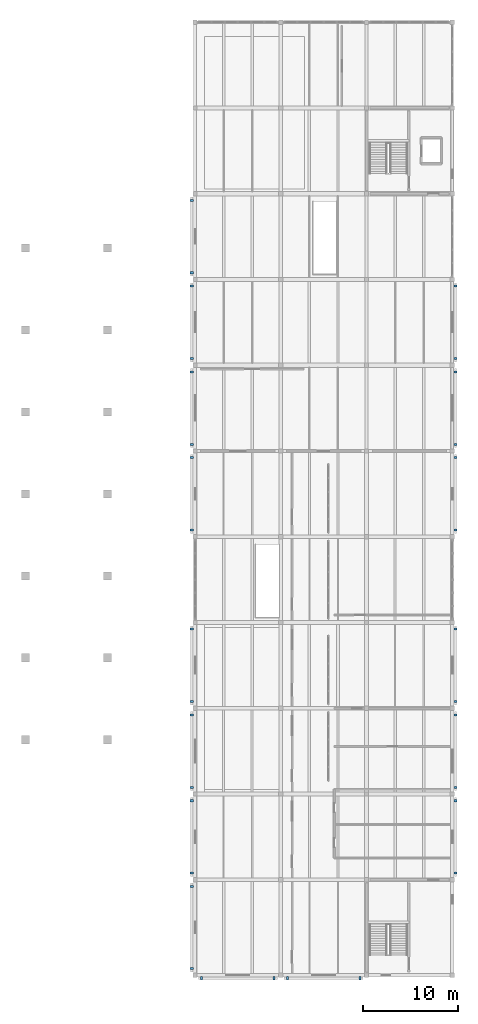
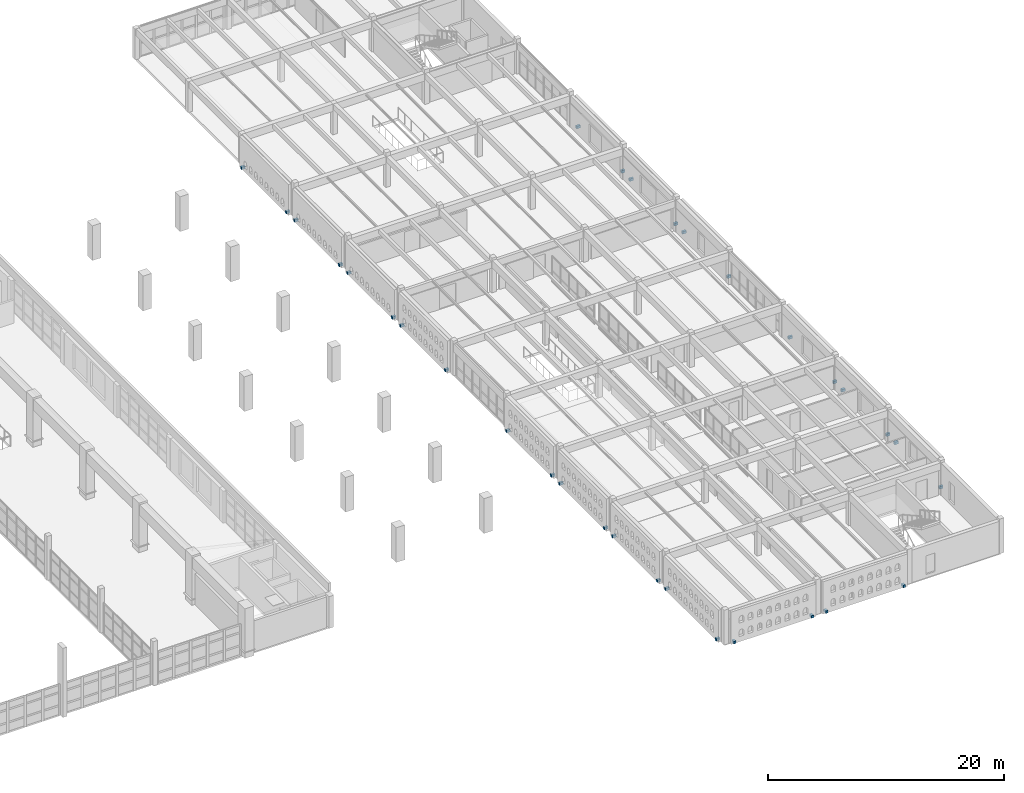
# One storey, part 73 of 80: 32 discrete accessories.
"""IFC4 building model written with IfcOpenShell, lengths in metres."""

from ifc_helpers import new_model, si_unit, direction, frame, origin, origin_2d, place, context, subcontext, project, spatial, rectangle, extrude, material, type_object, element, save


model = new_model("IFC4")

# Units and contexts
model_context = context("Model", 3, precision=1e-05, world=origin(), true_north=direction((0.0, 1.0)))
body_context = subcontext(model_context, "Body", "Model", "MODEL_VIEW")
ifc_project = project(units=[si_unit("LENGTHUNIT", "METRE"), si_unit("AREAUNIT", "SQUARE_METRE"), si_unit("VOLUMEUNIT", "CUBIC_METRE"), si_unit("PLANEANGLEUNIT", "RADIAN"), si_unit("MASSUNIT", "GRAM", prefix="KILO")], contexts=[model_context])

# Site, building, storey
site_placement = place(None, origin())
site = spatial("IfcSite", under=ifc_project, at=site_placement, CompositionType="ELEMENT")
building_placement = place(site_placement, origin())
building = spatial("IfcBuilding", under=site, at=building_placement, Name="Ornek Quay Market", CompositionType="ELEMENT")
storey_placement = place(building_placement, frame((0.0, 0.0, 8.39990234375)))
storey = spatial("IfcBuildingStorey", under=building, at=storey_placement, Name="L02", CompositionType="ELEMENT", Elevation=8.39990234375)

# Discrete accessories
ifc_material = material(Name="Stainless steel 316", Category="steel")
discrete_accessory_type = type_object("IfcDiscreteAccessoryType", Name="ACC-BRK-SCREEN-250", PredefinedType="BRACKET", material=ifc_material)
for number, where, z_axis, x_axis, name in (
    (1, (152.669921875, 65.699951171875, 0.0), (0.0, 0.0, 1.0), (0.0, 1.0, 0.0), "Masonry screen bracket BRK-141"),
    (2, (152.669921875, 73.300048828125, 0.0), (0.0, 0.0, 1.0), (0.0, 1.0, 0.0), "Masonry screen bracket BRK-142"),
    (3, (152.669921875, 74.699951171875, 0.0), (0.0, 0.0, 1.0), (0.0, 1.0, 0.0), "Masonry screen bracket BRK-143"),
    (4, (152.669921875, 82.300048828125, 0.0), (0.0, 0.0, 1.0), (0.0, 1.0, 0.0), "Masonry screen bracket BRK-144"),
    (5, (152.669921875, 83.699951171875, 0.0), (0.0, 0.0, 1.0), (0.0, 1.0, 0.0), "Masonry screen bracket BRK-145"),
    (6, (152.669921875, 91.300048828125, 0.0), (0.0, 0.0, 1.0), (0.0, 1.0, 0.0), "Masonry screen bracket BRK-146"),
    (7, (180.330078125, 65.699951171875, 0.0), (0.0, 0.0, 1.0), (0.0, 1.0, 0.0), "Masonry screen bracket BRK-147"),
    (8, (180.330078125, 73.300048828125, 0.0), (0.0, 0.0, 1.0), (0.0, 1.0, 0.0), "Masonry screen bracket BRK-148"),
    (9, (180.330078125, 74.699951171875, 0.0), (0.0, 0.0, 1.0), (0.0, 1.0, 0.0), "Masonry screen bracket BRK-149"),
    (10, (180.330078125, 82.300048828125, 0.0), (0.0, 0.0, 1.0), (0.0, 1.0, 0.0), "Masonry screen bracket BRK-150"),
    (11, (152.669921875, 10.699951171875, 0.0), (0.0, 0.0, 1.0), (0.0, 1.0, 0.0), "Masonry screen bracket BRK-199"),
    (12, (152.669921875, 19.300048828125, 0.0), (0.0, 0.0, 1.0), (0.0, 1.0, 0.0), "Masonry screen bracket BRK-200"),
    (13, (152.669921875, 20.699951171875, 0.0), (0.0, 0.0, 1.0), (0.0, 1.0, 0.0), "Masonry screen bracket BRK-201"),
    (14, (152.669921875, 28.300048828125, 0.0), (0.0, 0.0, 1.0), (0.0, 1.0, 0.0), "Masonry screen bracket BRK-202"),
    (15, (152.669921875, 29.699951171875, 0.0), (0.0, 0.0, 1.0), (0.0, 1.0, 0.0), "Masonry screen bracket BRK-203"),
    (16, (152.669921875, 37.300048828125, 0.0), (0.0, 0.0, 1.0), (0.0, 1.0, 0.0), "Masonry screen bracket BRK-204"),
    (17, (152.669921875, 38.699951171875, 0.0), (0.0, 0.0, 1.0), (0.0, 1.0, 0.0), "Masonry screen bracket BRK-205"),
    (18, (152.669921875, 46.300048828125, 0.0), (0.0, 0.0, 1.0), (0.0, 1.0, 0.0), "Masonry screen bracket BRK-206"),
    (19, (152.669921875, 56.699951171875, 0.0), (0.0, 0.0, 1.0), (0.0, 1.0, 0.0), "Masonry screen bracket BRK-207"),
    (20, (152.669921875, 64.300048828125, 0.0), (0.0, 0.0, 1.0), (0.0, 1.0, 0.0), "Masonry screen bracket BRK-208"),
    (21, (180.330078125, 20.699951171875, 0.0), (0.0, 0.0, 1.0), (0.0, 1.0, 0.0), "Masonry screen bracket BRK-209"),
    (22, (180.330078125, 28.300048828125, 0.0), (0.0, 0.0, 1.0), (0.0, 1.0, 0.0), "Masonry screen bracket BRK-210"),
    (23, (180.330078125, 29.699951171875, 0.0), (0.0, 0.0, 1.0), (0.0, 1.0, 0.0), "Masonry screen bracket BRK-211"),
    (24, (180.330078125, 37.300048828125, 0.0), (0.0, 0.0, 1.0), (0.0, 1.0, 0.0), "Masonry screen bracket BRK-212"),
    (25, (180.330078125, 38.699951171875, 0.0), (0.0, 0.0, 1.0), (0.0, 1.0, 0.0), "Masonry screen bracket BRK-213"),
    (26, (180.330078125, 46.300048828125, 0.0), (0.0, 0.0, 1.0), (0.0, 1.0, 0.0), "Masonry screen bracket BRK-214"),
    (27, (180.330078125, 56.699951171875, 0.0), (0.0, 0.0, 1.0), (0.0, 1.0, 0.0), "Masonry screen bracket BRK-215"),
    (28, (180.330078125, 64.300048828125, 0.0), (0.0, 0.0, 1.0), (0.0, 1.0, 0.0), "Masonry screen bracket BRK-216"),
    (29, (153.699951171875, 9.669921875, 0.0), (0.0, 0.0, 1.0), (1.0, 0.0, 0.0), "Masonry screen bracket BRK-217"),
    (30, (161.300048828125, 9.669921875, 0.0), (0.0, 0.0, 1.0), (1.0, 0.0, 0.0), "Masonry screen bracket BRK-218"),
    (31, (162.699951171875, 9.669921875, 0.0), (0.0, 0.0, 1.0), (1.0, 0.0, 0.0), "Masonry screen bracket BRK-219"),
    (32, (170.300048828125, 9.669921875, 0.0), (0.0, 0.0, 1.0), (1.0, 0.0, 0.0), "Masonry screen bracket BRK-220"),
):
    element("IfcDiscreteAccessory", number, at=place(storey_placement, frame(where, z_axis=z_axis, x_axis=x_axis)), inside=storey, type_object=discrete_accessory_type, Name=name, PredefinedType="BRACKET", context=body_context, shape_type="SweptSolid", body=[
        extrude(rectangle(XDim=0.219970703125, YDim=0.360107421875, at=origin_2d()), origin(), (0.0, 0.0, 1.0), 0.260009765625),
    ])

save(model, "model.ifc")
